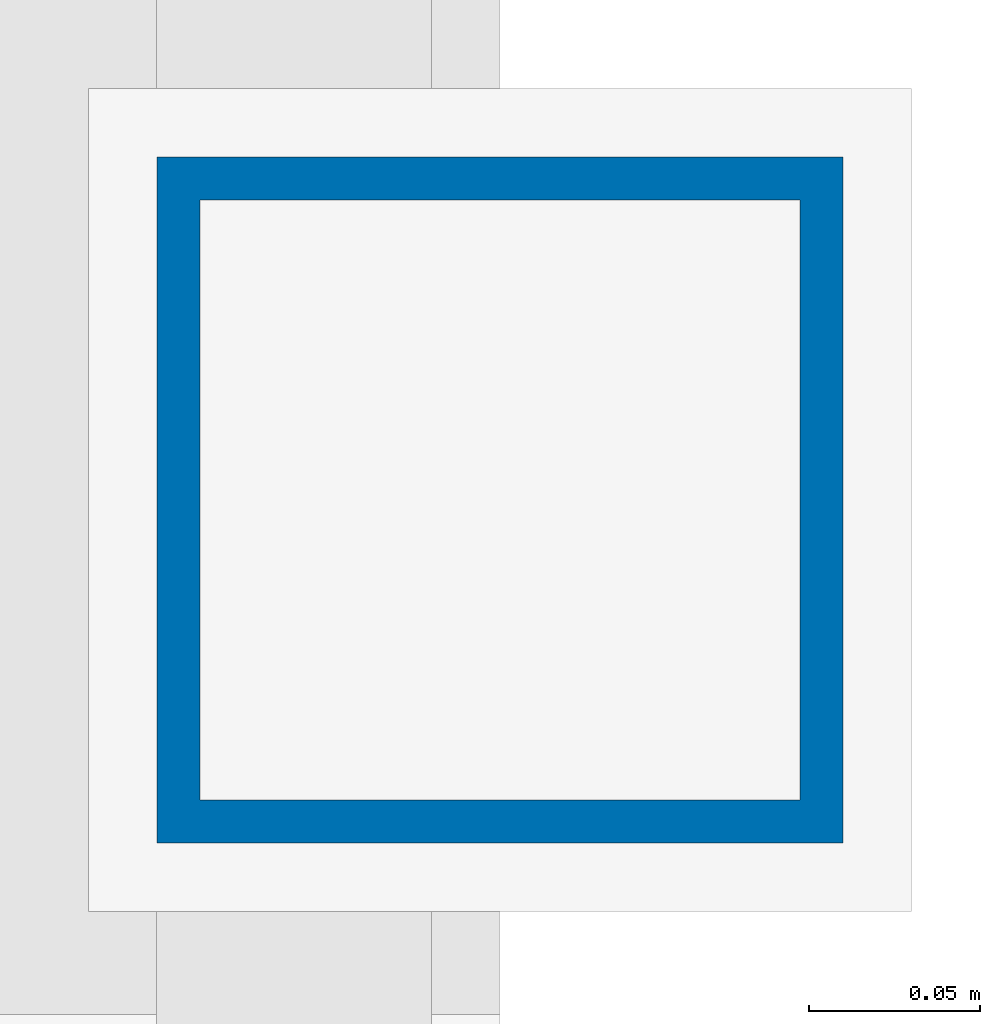
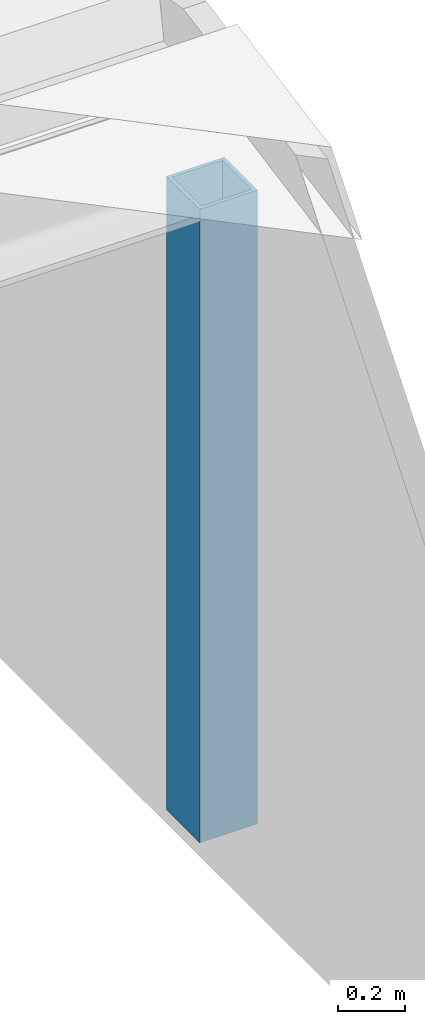
# One storey, part 11 of 63: 1 column.
"""IFC4 building model written with IfcOpenShell, lengths in metres."""

from ifc_helpers import new_model, si_unit, direction, frame, origin, origin_2d, place, context, subcontext, project, spatial, hollow_rectangle, extrude, material, material_profile, profile_set, type_object, element, save


model = new_model("IFC4")

# Units and contexts
model_context = context("Model", 3, precision=1e-05, world=origin(), true_north=direction((0.0, 1.0)))
body_context = subcontext(model_context, "Body", "Model", "MODEL_VIEW")
ifc_project = project(units=[si_unit("LENGTHUNIT", "METRE"), si_unit("AREAUNIT", "SQUARE_METRE"), si_unit("VOLUMEUNIT", "CUBIC_METRE"), si_unit("PLANEANGLEUNIT", "RADIAN"), si_unit("MASSUNIT", "GRAM", prefix="KILO")], contexts=[model_context])

# Site, building, storey
site_placement = place(None, origin())
site = spatial("IfcSite", under=ifc_project, at=site_placement, CompositionType="ELEMENT")
building_placement = place(site_placement, origin())
building = spatial("IfcBuilding", under=site, at=building_placement, Name="Valkorina Park Police Headquarters", CompositionType="ELEMENT")
storey_placement = place(building_placement, frame((0.0, 0.0, 9.89990234375)))
storey = spatial("IfcBuildingStorey", under=building, at=storey_placement, Name="L03", CompositionType="ELEMENT", Elevation=9.89990234375)

# Column
ifc_material = material(Name="Steel S355", Category="steel")
ifc_material_profile = material_profile(ifc_material, hollow_rectangle(XDim=0.199951171875, YDim=0.199951171875, WallThickness=0.012451171875, at=origin_2d()), Name="SHS 200x200x12.5")
ifc_profile_set = profile_set([ifc_material_profile], Name="Steel S355")
column_type = type_object("IfcColumnType", Name="COL-S355-SHS200-EXT", PredefinedType="COLUMN", material=ifc_profile_set)
column_placement = place(storey_placement, frame((162.0, 96.199951171875, 0.0), z_axis=(0.0, 0.0, 1.0), x_axis=(1.0, 0.0, 0.0)))
element("IfcColumn", 1, at=column_placement, inside=storey, type_object=column_type, Name="V3 Gymnasium Gable Ridge Column 162", PredefinedType="COLUMN", context=body_context, shape_type="SweptSolid", body=[
    extrude(hollow_rectangle(XDim=0.199951171875, YDim=0.199951171875, WallThickness=0.012451171875, at=origin_2d()), origin(), (0.0, 0.0, 1.0), 2.3251953125),
])

save(model, "model.ifc")
